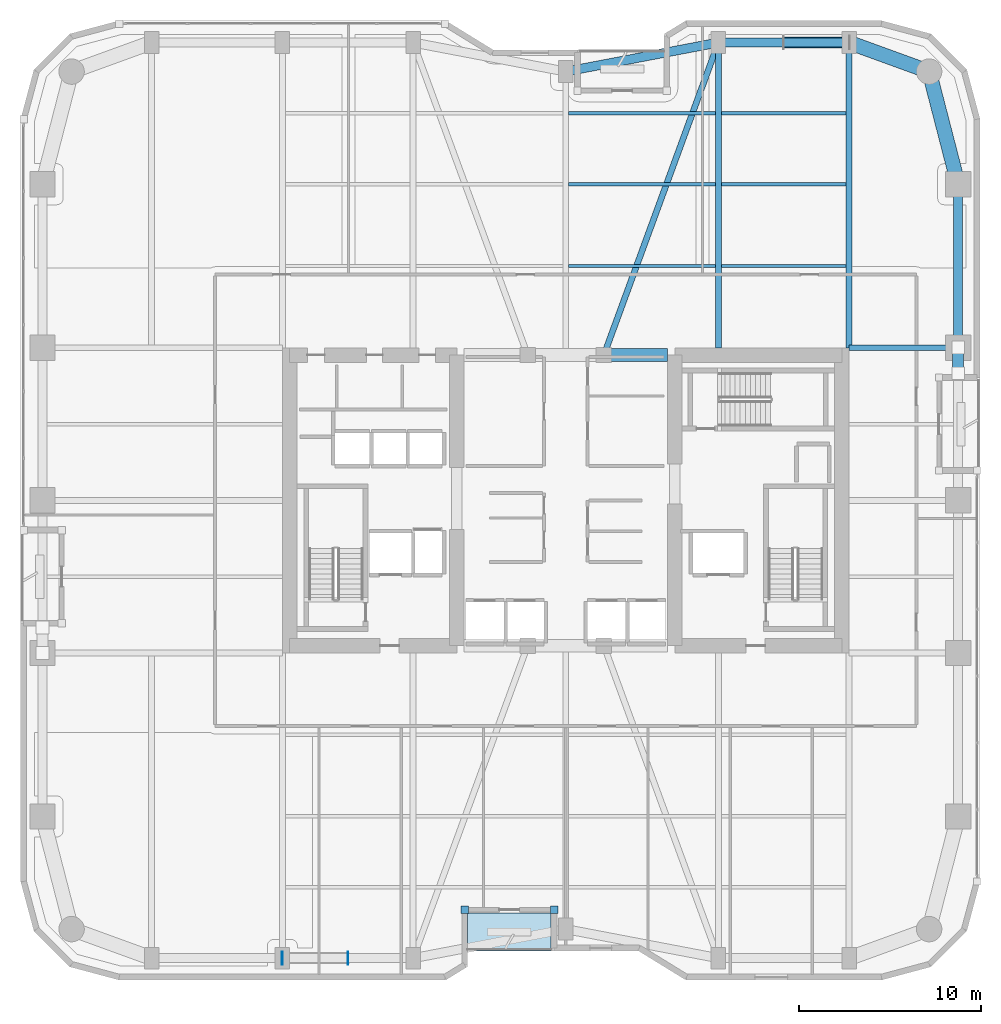
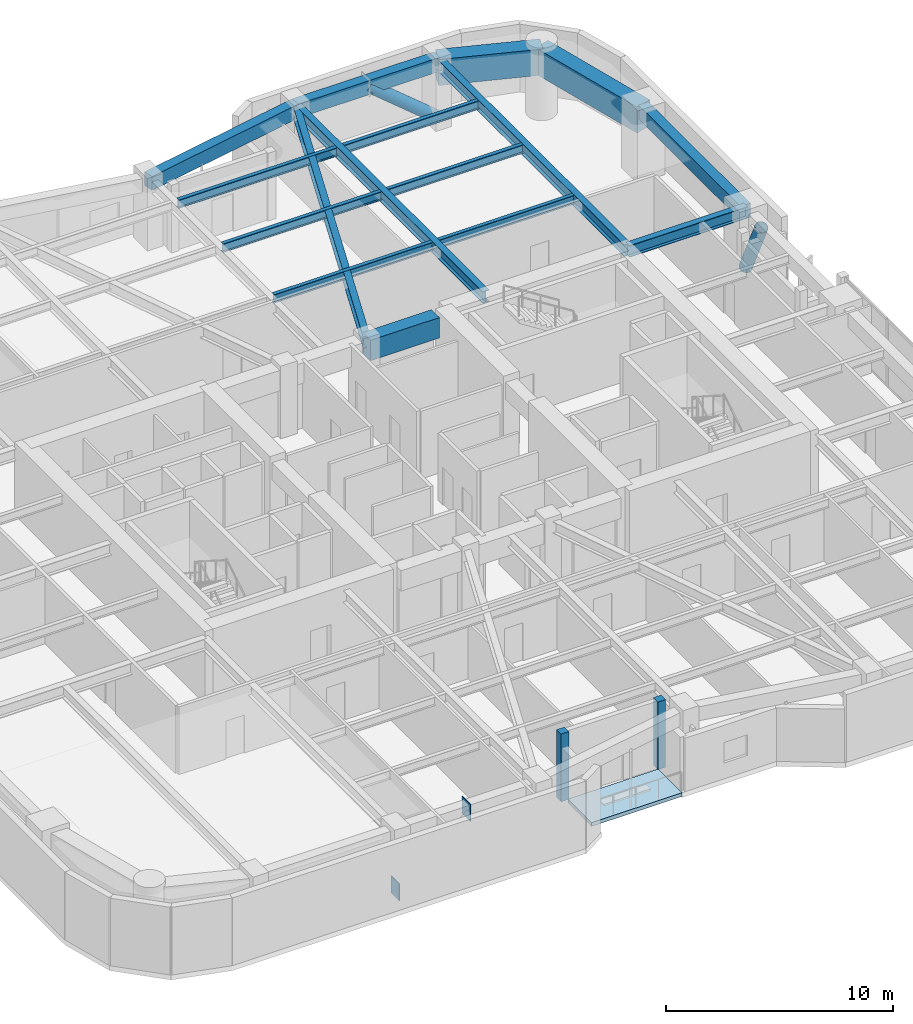
# One storey, part 15 of 24: 16 beams, 4 plates, 2 members, 1 slab.
"""IFC4 building model written with IfcOpenShell, lengths in metres."""

from ifc_helpers import new_model, si_unit, direction, frame, origin, origin_2d, place, context, subcontext, project, spatial, polyline, rectangle, hollow_circle, i_section, outline, extrude, material, layer, layer_set, material_profile, profile_set, type_object, element, save


model = new_model("IFC4")

# Units and contexts
model_context = context("Model", 3, precision=1e-05, world=origin(), true_north=direction((0.0, 1.0)))
body_context = subcontext(model_context, "Body", "Model", "MODEL_VIEW")
ifc_project = project(units=[si_unit("LENGTHUNIT", "METRE"), si_unit("AREAUNIT", "SQUARE_METRE"), si_unit("VOLUMEUNIT", "CUBIC_METRE"), si_unit("PLANEANGLEUNIT", "RADIAN"), si_unit("MASSUNIT", "GRAM", prefix="KILO")], contexts=[model_context])

# Site, building, storey
site_placement = place(None, origin())
site = spatial("IfcSite", under=ifc_project, at=site_placement, CompositionType="ELEMENT")
building_placement = place(site_placement, origin())
building = spatial("IfcBuilding", under=site, at=building_placement, Name="Kiyonajd Concourse Tower", CompositionType="ELEMENT")
storey_placement = place(building_placement, frame((0.0, 0.0, 113.10009765625)))
storey = spatial("IfcBuildingStorey", under=building, at=storey_placement, Name="L29", CompositionType="ELEMENT", Elevation=113.10009765625)

# Beams
ifc_material_1 = material(Name="Concrete C70/85", Category="concrete")
ifc_material_profile_1 = material_profile(ifc_material_1, rectangle(XDim=0.699951171875, YDim=1.10009765625, at=origin_2d()), Name="RCBM-700x1100")
ifc_profile_set_1 = profile_set([ifc_material_profile_1], Name="Concrete C70/85")
beam_type_1 = type_object("IfcBeamType", Name="BM-COUP-1100", PredefinedType="LINTEL", material=ifc_profile_set_1)
beam_1_placement = place(storey_placement, frame((50.10009765625, 44.0, 3.08984375), z_axis=(1.0, 0.0, 0.0), x_axis=(0.0, 1.0, 0.0)))
element("IfcBeam", 1, at=beam_1_placement, inside=storey, type_object=beam_type_1, Name="L29 Core Coupling Beam N3", PredefinedType="LINTEL", context=body_context, shape_type="SweptSolid", body=[
    extrude(rectangle(XDim=0.699951171875, YDim=1.10009765625, at=origin_2d()), origin(), (0.0, 0.0, 1.0), 3.5),
])
ifc_material_2 = material(Name="Steel ASTM A992 Grade 50", Category="steel")
ifc_material_profile_2 = material_profile(ifc_material_2, i_section(OverallWidth=0.19189453125, OverallDepth=0.462890625, WebThickness=0.010498046875, FlangeThickness=0.017578125, at=origin_2d()), Name="W460X89")
ifc_profile_set_2 = profile_set([ifc_material_profile_2], Name="Steel ASTM A992 Grade 50")
beam_type_2 = type_object("IfcBeamType", Name="BM-JST-460B", PredefinedType="JOIST", material=ifc_profile_set_2)
beam_2_placement = place(storey_placement, frame((48.16357421875, 48.89990234375, 3.408447265625), z_axis=(1.0, 0.0, 0.0), x_axis=(0.0, 1.0, 0.0)))
element("IfcBeam", 2, at=beam_2_placement, inside=storey, type_object=beam_type_2, Name="L29 Secondary Floor Joist", PredefinedType="JOIST", context=body_context, shape_type="SweptSolid", body=[
    extrude(i_section(OverallWidth=0.19189453125, OverallDepth=0.462890625, WebThickness=0.010498046875, FlangeThickness=0.017578125, at=origin_2d()), origin(), (0.0, 0.0, 1.0), 8.072998046875),
])
beam_3_placement = place(storey_placement, frame((56.5634765625, 48.89990234375, 3.408447265625), z_axis=(1.0, 0.0, 0.0), x_axis=(0.0, 1.0, 0.0)))
element("IfcBeam", 3, at=beam_3_placement, inside=storey, type_object=beam_type_2, Name="L29 Secondary Floor Joist", PredefinedType="JOIST", context=body_context, shape_type="SweptSolid", body=[
    extrude(i_section(OverallWidth=0.19189453125, OverallDepth=0.462890625, WebThickness=0.010498046875, FlangeThickness=0.017578125, at=origin_2d()), origin(), (0.0, 0.0, 1.0), 6.873046875),
])
beam_4_placement = place(storey_placement, frame((48.16357421875, 53.39990234375, 3.408447265625), z_axis=(1.0, 0.0, 0.0), x_axis=(0.0, 1.0, 0.0)))
element("IfcBeam", 4, at=beam_4_placement, inside=storey, type_object=beam_type_2, Name="L29 Secondary Floor Joist", PredefinedType="JOIST", context=body_context, shape_type="SweptSolid", body=[
    extrude(i_section(OverallWidth=0.19189453125, OverallDepth=0.462890625, WebThickness=0.010498046875, FlangeThickness=0.017578125, at=origin_2d()), origin(), (0.0, 0.0, 1.0), 8.072998046875),
])
beam_5_placement = place(storey_placement, frame((56.5634765625, 53.39990234375, 3.408447265625), z_axis=(1.0, 0.0, 0.0), x_axis=(0.0, 1.0, 0.0)))
element("IfcBeam", 5, at=beam_5_placement, inside=storey, type_object=beam_type_2, Name="L29 Secondary Floor Joist", PredefinedType="JOIST", context=body_context, shape_type="SweptSolid", body=[
    extrude(i_section(OverallWidth=0.19189453125, OverallDepth=0.462890625, WebThickness=0.010498046875, FlangeThickness=0.017578125, at=origin_2d()), origin(), (0.0, 0.0, 1.0), 6.873046875),
])
beam_6_placement = place(storey_placement, frame((48.16357421875, 57.300048828125, 3.408447265625), z_axis=(1.0, 0.0, 0.0), x_axis=(0.0, 1.0, 0.0)))
element("IfcBeam", 6, at=beam_6_placement, inside=storey, type_object=beam_type_2, Name="L29 Secondary Floor Joist", PredefinedType="JOIST", context=body_context, shape_type="SweptSolid", body=[
    extrude(i_section(OverallWidth=0.19189453125, OverallDepth=0.462890625, WebThickness=0.010498046875, FlangeThickness=0.017578125, at=origin_2d()), origin(), (0.0, 0.0, 1.0), 8.072998046875),
])
beam_7_placement = place(storey_placement, frame((56.5634765625, 57.300048828125, 3.408447265625), z_axis=(1.0, 0.0, 0.0), x_axis=(0.0, 1.0, 0.0)))
element("IfcBeam", 7, at=beam_7_placement, inside=storey, type_object=beam_type_2, Name="L29 Secondary Floor Joist", PredefinedType="JOIST", context=body_context, shape_type="SweptSolid", body=[
    extrude(i_section(OverallWidth=0.19189453125, OverallDepth=0.462890625, WebThickness=0.010498046875, FlangeThickness=0.017578125, at=origin_2d()), origin(), (0.0, 0.0, 1.0), 6.873046875),
])
ifc_material_3 = material(Name="Precast concrete C50/60", Category="concrete")
ifc_material_profile_3 = material_profile(ifc_material_3, rectangle(XDim=0.5, YDim=0.75, at=origin_2d()), Name="RCBM-500x750")
ifc_profile_set_3 = profile_set([ifc_material_profile_3], Name="Precast concrete C50/60")
beam_type_3 = type_object("IfcBeamType", Name="BM-SPAN-RC", PredefinedType="SPANDREL", material=ifc_profile_set_3)
beam_8_placement = place(storey_placement, frame((69.60009765625, 44.39990234375, 3.264892578125), z_axis=(0.0, 1.0, 0.0), x_axis=(-1.0, 0.0, 0.0)))
element("IfcBeam", 8, at=beam_8_placement, inside=storey, type_object=beam_type_3, Name="L29 Perimeter Bundled Tube Spandrel", PredefinedType="SPANDREL", context=body_context, shape_type="SweptSolid", body=[
    extrude(rectangle(XDim=0.5, YDim=0.75, at=origin_2d()), origin(), (0.0, 0.0, 1.0), 9.0),
])
beam_9_placement = place(storey_placement, frame((63.60009765625, 61.199951171875, 3.264892578125), z_axis=(-1.0, 0.0, 0.0), x_axis=(0.0, -1.0, 0.0)))
element("IfcBeam", 9, at=beam_9_placement, inside=storey, type_object=beam_type_3, Name="L29 Perimeter Bundled Tube Spandrel", PredefinedType="SPANDREL", context=body_context, shape_type="SweptSolid", body=[
    extrude(rectangle(XDim=0.5, YDim=0.75, at=origin_2d()), origin(), (0.0, 0.0, 1.0), 7.2001953125),
])
beam_10_placement = place(storey_placement, frame((56.39990234375, 61.199951171875, 3.264892578125), z_axis=(-0.982341315253, -0.187097675953, 0.0), x_axis=(0.187097675953, -0.982341315253, 0.0)))
element("IfcBeam", 10, at=beam_10_placement, inside=storey, type_object=beam_type_3, Name="L29 Perimeter Bundled Tube Spandrel", PredefinedType="SPANDREL", context=body_context, shape_type="SweptSolid", body=[
    extrude(rectangle(XDim=0.5, YDim=0.75, at=origin_2d()), origin(), (0.0, 0.0, 1.0), 8.55078125),
])
ifc_material_profile_4 = material_profile(ifc_material_2, i_section(OverallWidth=0.326904296875, OverallDepth=0.6220703125, WebThickness=0.015380859375, FlangeThickness=0.0244140625, at=origin_2d()), Name="W610X195")
ifc_profile_set_4 = profile_set([ifc_material_profile_4], Name="Steel ASTM A992 Grade 50")
beam_type_4 = type_object("IfcBeamType", Name="BM-TWR-610A", PredefinedType="BEAM", material=ifc_profile_set_4)
beam_11_placement = place(storey_placement, frame((50.10009765625, 44.0, 3.328857421875), z_axis=(0.343925269715, 0.938997022813, 0.0), x_axis=(-0.938997022813, 0.343925269715, 0.0)))
element("IfcBeam", 11, at=beam_11_placement, inside=storey, type_object=beam_type_4, Name="L29 Core Tie Girder", PredefinedType="BEAM", context=body_context, shape_type="SweptSolid", body=[
    extrude(i_section(OverallWidth=0.326904296875, OverallDepth=0.6220703125, WebThickness=0.015380859375, FlangeThickness=0.0244140625, at=origin_2d()), origin(), (0.0, 0.0, 1.0), 18.3173828125),
])
for number, where, z_axis, x_axis, name in (
    (12, (56.39990234375, 44.39990234375, 3.328857421875), (0.0, 1.0, 0.0), (-1.0, 0.0, 0.0), "L29 North Lease Girder"),
    (13, (63.60009765625, 44.39990234375, 3.328857421875), (0.0, 1.0, 0.0), (-1.0, 0.0, 0.0), "L29 North Lease Girder"),
):
    element("IfcBeam", number, at=place(storey_placement, frame(where, z_axis=z_axis, x_axis=x_axis)), inside=storey, type_object=beam_type_4, Name=name, PredefinedType="BEAM", context=body_context, shape_type="SweptSolid", body=[
        extrude(i_section(OverallWidth=0.326904296875, OverallDepth=0.6220703125, WebThickness=0.015380859375, FlangeThickness=0.0244140625, at=origin_2d()), origin(), (0.0, 0.0, 1.0), 16.800048828125),
    ])
beam_12_placement = place(storey_placement, frame((63.60009765625, 44.39990234375, 3.328857421875), z_axis=(1.0, 0.0, 0.0), x_axis=(0.0, 1.0, 0.0)))
element("IfcBeam", 14, at=beam_12_placement, inside=storey, type_object=beam_type_4, Name="L29 East Lease Girder", PredefinedType="BEAM", context=body_context, shape_type="SweptSolid", body=[
    extrude(i_section(OverallWidth=0.326904296875, OverallDepth=0.6220703125, WebThickness=0.015380859375, FlangeThickness=0.0244140625, at=origin_2d()), origin(), (0.0, 0.0, 1.0), 6.0),
])
ifc_material_4 = material(Name="Concrete C60/75", Category="concrete")
ifc_material_profile_5 = material_profile(ifc_material_4, rectangle(XDim=0.800048828125, YDim=1.39990234375, at=origin_2d()), Name="RCBM-800x1400")
ifc_profile_set_5 = profile_set([ifc_material_profile_5], Name="Concrete C60/75")
beam_type_5 = type_object("IfcBeamType", Name="BM-XFER-RC", PredefinedType="BEAM", material=ifc_profile_set_5)
beam_13_placement = place(storey_placement, frame((69.60009765625, 53.39990234375, 2.93994140625), z_axis=(-0.249884937687, 0.968275538221, 0.0), x_axis=(-0.968275538221, -0.249884937687, 0.0)))
element("IfcBeam", 15, at=beam_13_placement, inside=storey, type_object=beam_type_5, Name="L29 Perimeter Bundled Tube Spandrel", PredefinedType="BEAM", context=body_context, shape_type="SweptSolid", body=[
    extrude(rectangle(XDim=0.800048828125, YDim=1.39990234375, at=origin_2d()), origin(), (0.0, 0.0, 1.0), 6.4033203125),
])
beam_14_placement = place(storey_placement, frame((68.0, 59.60009765625, 2.93994140625), z_axis=(-0.939801036019, 0.341722127901, 0.0), x_axis=(-0.341722127901, -0.939801036019, 0.0)))
element("IfcBeam", 16, at=beam_14_placement, inside=storey, type_object=beam_type_5, Name="L29 Perimeter Bundled Tube Spandrel", PredefinedType="BEAM", context=body_context, shape_type="SweptSolid", body=[
    extrude(rectangle(XDim=0.800048828125, YDim=1.39990234375, at=origin_2d()), origin(), (0.0, 0.0, 1.0), 4.681640625),
])

# Members
ifc_material_5 = material(Name="Steel ASTM A572 Grade 50", Category="steel")
ifc_material_profile_6 = material_profile(ifc_material_5, hollow_circle(Radius=0.304931640625, WallThickness=0.02490234375, at=origin_2d()), Name="CHS-610x25")
ifc_profile_set_6 = profile_set([ifc_material_profile_6], Name="Steel ASTM A572 Grade 50")
member_type = type_object("IfcMemberType", Name="MB-PB-LOW", PredefinedType="BRACE", material=ifc_profile_set_6)
member_1_placement = place(storey_placement, frame((63.60009765625, 61.199951171875, 0.2998046875), z_axis=(-0.769280705518, 0.0, 0.638910945373), x_axis=(0.0, -1.0, 0.0)))
element("IfcMember", 17, at=member_1_placement, inside=storey, type_object=member_type, Name="L29 Lower Zone Welded Tube Brace PBN", PredefinedType="BRACE", context=body_context, shape_type="SweptSolid", body=[
    extrude(hollow_circle(Radius=0.304931640625, WallThickness=0.02490234375, at=origin_2d()), origin(), (0.0, 0.0, 1.0), 4.679931640625),
])
member_2_placement = place(storey_placement, frame((69.60009765625, 44.39990234375, 0.2998046875), z_axis=(0.0, -0.424022702926, 0.905651559598), x_axis=(1.0, 0.0, 0.0)))
element("IfcMember", 18, at=member_2_placement, inside=storey, type_object=member_type, Name="L29 Lower Zone Welded Tube Brace PBE", PredefinedType="BRACE", context=body_context, shape_type="SweptSolid", body=[
    extrude(hollow_circle(Radius=0.304931640625, WallThickness=0.02490234375, at=origin_2d()), origin(), (0.0, 0.0, 1.0), 3.301513671875),
])

# Plates
ifc_layer_1 = layer(ifc_material_5, 0.028076171875)
ifc_layer_set_1 = layer_set([ifc_layer_1], Name="Steel ASTM A572 Grade 50")
plate_type_1 = type_object("IfcPlateType", Name="PL-CAP-450", PredefinedType="USERDEFINED", material=ifc_layer_set_1)
for number, where, z_axis, x_axis, name in (
    (19, (32.3916015625, 10.800048828125, -0.173583984375), (0.0, 0.0, 1.0), (-1.0, 0.0, 0.0), "L29 Hollow Brace End Cap Plate PBS"),
    (20, (36.008544921875, 10.800048828125, 2.830322265625), (0.0, 0.0, 1.0), (1.0, 0.0, 0.0), "L29 Hollow Brace Top Cap Plate PBS"),
):
    element("IfcPlate", number, at=place(storey_placement, frame(where, z_axis=z_axis, x_axis=x_axis)), inside=storey, type_object=plate_type_1, Name=name, ObjectType="CAP PLATE", PredefinedType="USERDEFINED", context=body_context, shape_type="SweptSolid", body=[
        extrude(rectangle(XDim=0.035888671875, YDim=0.72998046875, at=origin_2d()), origin(), (0.0, 0.0, 1.0), 0.93310546875),
    ])
ifc_material_6 = material(Name="Thermally Broken Anodised Aluminium", Category="aluminium")
ifc_layer_2 = layer(ifc_material_6, 0.39990234375)
ifc_layer_set_2 = layer_set([ifc_layer_2], Name="Thermally Broken Anodised Aluminium")
plate_type_2 = type_object("IfcPlateType", Name="PL-JMB-400", PredefinedType="USERDEFINED", material=ifc_layer_set_2)
for number, where, z_axis, x_axis, name in (
    (21, (47.360107421875, 13.4599609375, 0.0), (0.0, 0.0, 1.0), (1.0, 0.0, 0.0), "L29 Facade Jamb Closure Plate 13"),
    (22, (42.43994140625, 13.4599609375, 0.0), (0.0, 0.0, 1.0), (1.0, 0.0, 0.0), "L29 Facade Jamb Closure Plate 14"),
):
    element("IfcPlate", number, at=place(storey_placement, frame(where, z_axis=z_axis, x_axis=x_axis)), inside=storey, type_object=plate_type_2, Name=name, ObjectType="JAMB PLATE", PredefinedType="USERDEFINED", context=body_context, shape_type="SweptSolid", body=[
        extrude(rectangle(XDim=0.39990234375, YDim=0.39990234375, at=origin_2d()), origin(), (0.0, 0.0, 1.0), 3.639892578125),
    ])

# Slab
ifc_layer_3 = layer(ifc_material_3, 0.199951171875)
ifc_layer_set_3 = layer_set([ifc_layer_3], Name="Precast concrete C50/60")
slab_type = type_object("IfcSlabType", Name="SL-LOG-200", PredefinedType="FLOOR", material=ifc_layer_set_3)
slab_placement = place(storey_placement, frame((0.0, 0.0, -0.2001953125)))
element("IfcSlab", 23, at=slab_placement, inside=storey, type_object=slab_type, Name="L29 Recessed Engawa Loggia Terrace Slab LOG-S", PredefinedType="FLOOR", context=body_context, shape_type="SweptSolid", body=[
    extrude(outline(polyline([(42.60009765625, 11.199951171875), (47.199951171875, 11.199951171875), (47.199951171875, 13.300048828125), (42.60009765625, 13.300048828125), (42.60009765625, 11.199951171875)])), origin(), (0.0, 0.0, 1.0), 0.2001953125),
])

save(model, "model.ifc")
